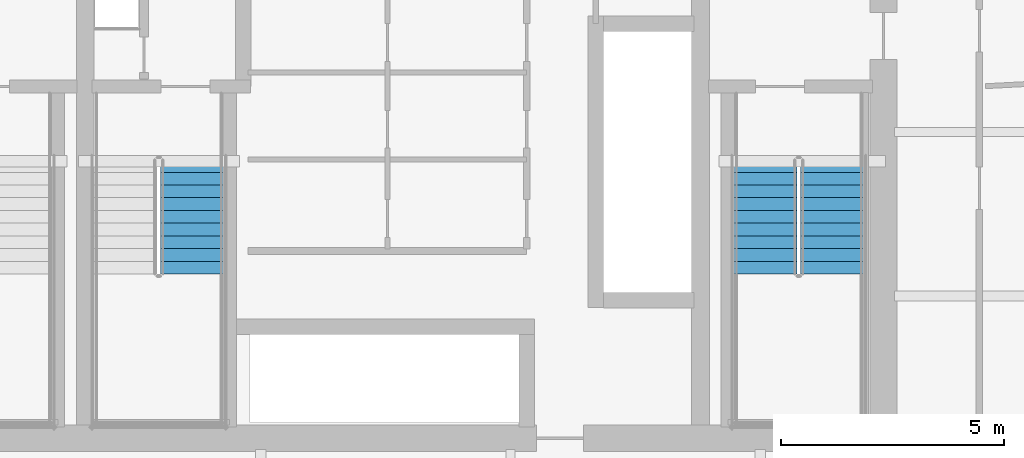
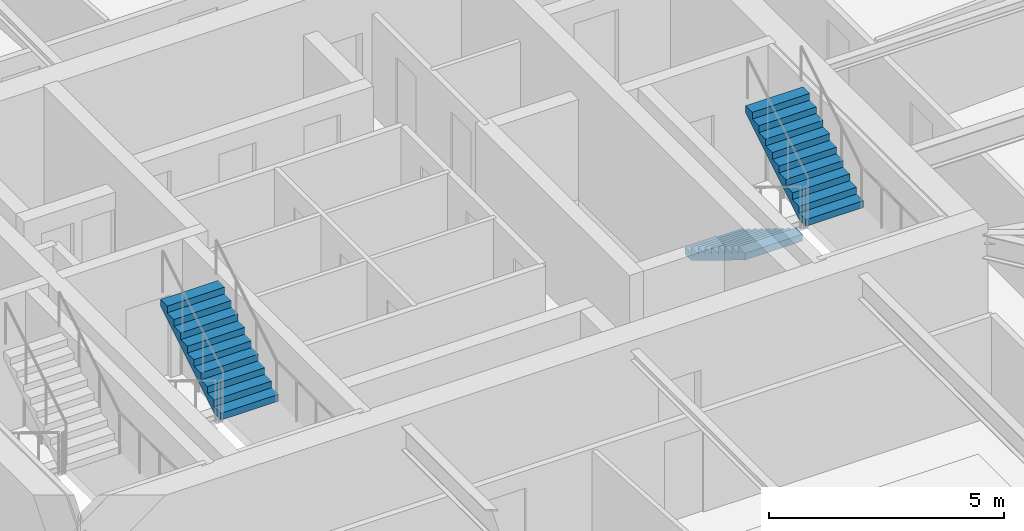
# One storey, part 26 of 30: 3 stair flights, 2 elements without a shape of their own.
"""IFC4 building model written with IfcOpenShell, lengths in metres."""

from ifc_helpers import new_model, si_unit, direction, frame, origin, place, context, subcontext, project, spatial, polyline, outline, extrude, material, type_object, element, aggregate, save


model = new_model("IFC4")

# Units and contexts
model_context = context("Model", 3, precision=1e-05, world=origin(), true_north=direction((0.0, 1.0)))
body_context = subcontext(model_context, "Body", "Model", "MODEL_VIEW")
ifc_project = project(units=[si_unit("LENGTHUNIT", "METRE"), si_unit("AREAUNIT", "SQUARE_METRE"), si_unit("VOLUMEUNIT", "CUBIC_METRE"), si_unit("PLANEANGLEUNIT", "RADIAN"), si_unit("MASSUNIT", "GRAM", prefix="KILO")], contexts=[model_context])

# Site, building, storey
site_placement = place(None, origin())
site = spatial("IfcSite", under=ifc_project, at=site_placement, CompositionType="ELEMENT")
building_placement = place(site_placement, origin())
building = spatial("IfcBuilding", under=site, at=building_placement, Name="Bramvorn Convention Spire", CompositionType="ELEMENT")
storey_placement = place(building_placement, frame((0.0, 0.0, 86.89990234375)))
storey = spatial("IfcBuildingStorey", under=building, at=storey_placement, Name="L20", CompositionType="ELEMENT", Elevation=86.89990234375)

# Stair, stair flights
ifc_material_1 = material(Name="Concrete C40/50 Precast Stair", Category="concrete")
stair_type = type_object("IfcStairType", Name="ST-TOWER-1550", PredefinedType="HALF_TURN_STAIR", material=ifc_material_1)
stair_1_placement = place(storey_placement, origin())
stair_1 = element("IfcStair", 1, at=stair_1_placement, inside=storey, type_object=stair_type, Name="L20 Protected Exit Stair ST2", PredefinedType="HALF_TURN_STAIR")
ifc_material_2 = material(Name="Concrete C40/50 Precast Stair Flight", Category="concrete")
stair_flight_type = type_object("IfcStairFlightType", Name="STF-TOWER-1550", PredefinedType="STRAIGHT", material=ifc_material_2)
stair_flight_1_placement = place(storey_placement, frame((46.35498046875, 25.050048828125, 0.0), z_axis=(0.0, 0.0, 1.0), x_axis=(0.0, -1.0, 0.0)))
stair_flight_1 = element("IfcStairFlight", 2, at=stair_flight_1_placement, type_object=stair_flight_type, Name="ST2 flight 1", NumberOfRisers=10, NumberOfTreads=9, PredefinedType="STRAIGHT", RiserHeight=0.175, TreadLength=0.285, context=body_context, shape_type="SweptSolid", body=[
    extrude(outline(polyline([(0.0, 0.0), (0.0, 0.175048828125), (0.284912109375, 0.175048828125), (0.284912109375, 0.35009765625), (0.570068359375, 0.35009765625), (0.570068359375, 0.52490234375), (0.85498046875, 0.52490234375), (0.85498046875, 0.699951171875), (1.139892578125, 0.699951171875), (1.139892578125, 0.875), (1.425048828125, 0.875), (1.425048828125, 1.050048828125), (1.7099609375, 1.050048828125), (1.7099609375, 1.22509765625), (1.9951171875, 1.22509765625), (1.9951171875, 1.39990234375), (2.280029296875, 1.39990234375), (2.280029296875, 1.574951171875), (2.56494140625, 1.574951171875), (2.56494140625, 1.75), (2.56494140625, 1.399169921875), (0.286376953125, 0.0), (0.0, 0.0)])), frame((0.0, 0.705078125, 0.0), z_axis=(0.0, -1.0, 0.0), x_axis=(1.0, 0.0, 0.0)), (0.0, 0.0, 1.0), 1.409912109375),
])
stair_flight_2_placement = place(storey_placement, frame((47.844970703125, 22.485107421875, 1.75), z_axis=(0.0, 0.0, 1.0), x_axis=(0.0, 1.0, 0.0)))
stair_flight_2 = element("IfcStairFlight", 3, at=stair_flight_2_placement, type_object=stair_flight_type, Name="ST2 flight 2", NumberOfRisers=10, NumberOfTreads=9, PredefinedType="STRAIGHT", RiserHeight=0.175, TreadLength=0.285, context=body_context, shape_type="SweptSolid", body=[
    extrude(outline(polyline([(0.0, 0.0), (0.0, 0.175048828125), (0.284912109375, 0.175048828125), (0.284912109375, 0.35009765625), (0.570068359375, 0.35009765625), (0.570068359375, 0.52490234375), (0.85498046875, 0.52490234375), (0.85498046875, 0.699951171875), (1.139892578125, 0.699951171875), (1.139892578125, 0.875), (1.425048828125, 0.875), (1.425048828125, 1.050048828125), (1.7099609375, 1.050048828125), (1.7099609375, 1.22509765625), (1.9951171875, 1.22509765625), (1.9951171875, 1.39990234375), (2.280029296875, 1.39990234375), (2.280029296875, 1.574951171875), (2.56494140625, 1.574951171875), (2.56494140625, 1.75), (2.56494140625, 1.399169921875), (0.286376953125, 0.0), (0.0, 0.0)])), frame((0.0, 0.705078125, 0.0), z_axis=(0.0, -1.0, 0.0), x_axis=(1.0, 0.0, 0.0)), (0.0, 0.0, 1.0), 1.409912109375),
])
aggregate(stair_1, [stair_flight_1, stair_flight_2])

# Stair, stair flight
stair_2_placement = place(storey_placement, origin())
stair_2 = element("IfcStair", 4, at=stair_2_placement, inside=storey, type_object=stair_type, Name="L20 Protected Exit Stair ST3", PredefinedType="HALF_TURN_STAIR")
stair_flight_3_placement = place(storey_placement, frame((33.4951171875, 22.485107421875, 1.75), z_axis=(0.0, 0.0, 1.0), x_axis=(0.0, 1.0, 0.0)))
stair_flight_3 = element("IfcStairFlight", 5, at=stair_flight_3_placement, type_object=stair_flight_type, Name="ST3 flight 2", NumberOfRisers=10, NumberOfTreads=9, PredefinedType="STRAIGHT", RiserHeight=0.175, TreadLength=0.285, context=body_context, shape_type="SweptSolid", body=[
    extrude(outline(polyline([(0.0, 0.0), (0.0, 0.175048828125), (0.284912109375, 0.175048828125), (0.284912109375, 0.35009765625), (0.570068359375, 0.35009765625), (0.570068359375, 0.52490234375), (0.85498046875, 0.52490234375), (0.85498046875, 0.699951171875), (1.139892578125, 0.699951171875), (1.139892578125, 0.875), (1.425048828125, 0.875), (1.425048828125, 1.050048828125), (1.7099609375, 1.050048828125), (1.7099609375, 1.22509765625), (1.9951171875, 1.22509765625), (1.9951171875, 1.39990234375), (2.280029296875, 1.39990234375), (2.280029296875, 1.574951171875), (2.56494140625, 1.574951171875), (2.56494140625, 1.75), (2.56494140625, 1.399169921875), (0.286376953125, 0.0), (0.0, 0.0)])), frame((0.0, 0.705078125, 0.0), z_axis=(0.0, -1.0, 0.0), x_axis=(1.0, 0.0, 0.0)), (0.0, 0.0, 1.0), 1.409912109375),
])
aggregate(stair_2, [stair_flight_3])

save(model, "model.ifc")
